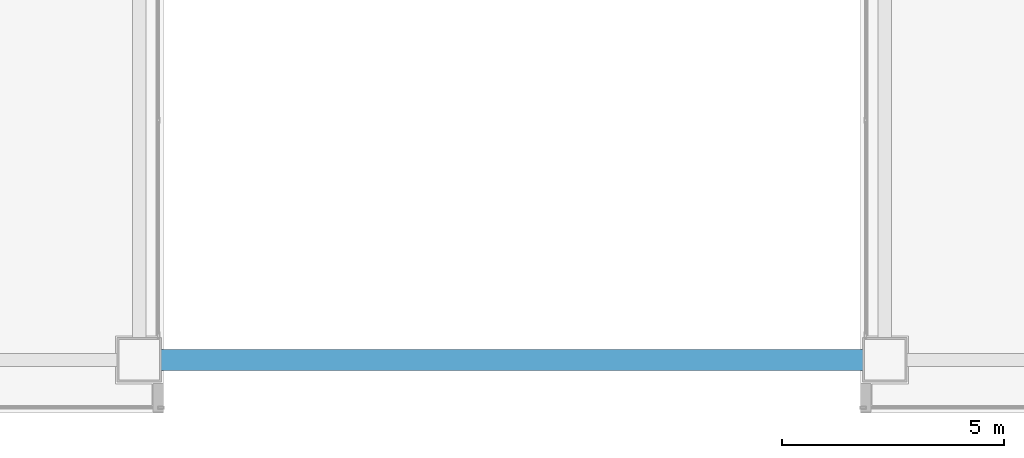
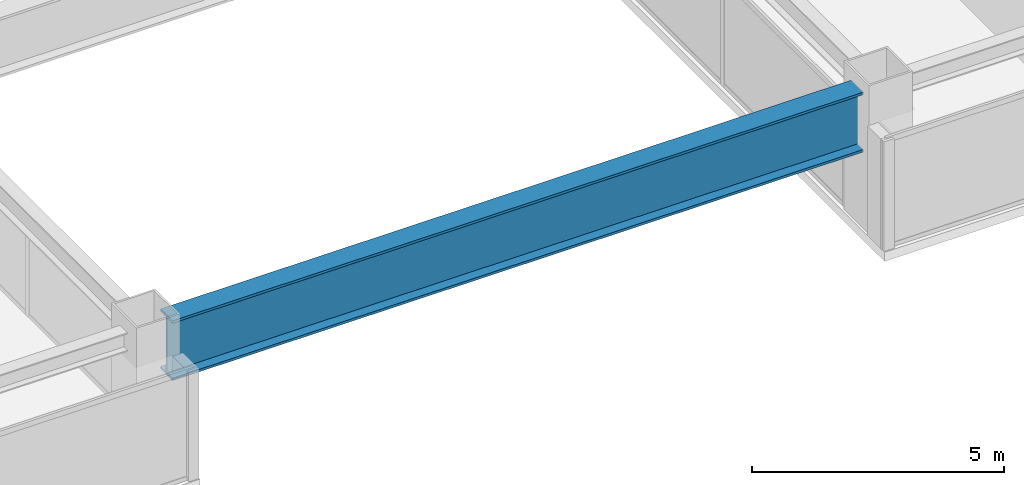
# One storey, part 6 of 32: 1 beam.
"""IFC4 building model written with IfcOpenShell, lengths in metres."""

from ifc_helpers import new_model, si_unit, direction, frame, origin, origin_2d, place, context, subcontext, project, spatial, i_section, extrude, source, transform, mapped, material, material_profile, profile_set, type_object, element, save


model = new_model("IFC4")

# Units and contexts
model_context = context("Model", 3, precision=1e-05, world=origin(), true_north=direction((0.0, 1.0)))
body_context = subcontext(model_context, "Body", "Model", "MODEL_VIEW")
ifc_project = project(units=[si_unit("LENGTHUNIT", "METRE"), si_unit("AREAUNIT", "SQUARE_METRE"), si_unit("VOLUMEUNIT", "CUBIC_METRE"), si_unit("PLANEANGLEUNIT", "RADIAN"), si_unit("MASSUNIT", "GRAM", prefix="KILO")], contexts=[model_context])

# Site, building, storey
site_placement = place(None, origin())
site = spatial("IfcSite", under=ifc_project, at=site_placement, CompositionType="ELEMENT")
building_placement = place(site_placement, origin())
building = spatial("IfcBuilding", under=site, at=building_placement, Name="Sumidabori Civic Tower", CompositionType="ELEMENT")
storey_placement = place(building_placement, frame((0.0, 0.0, 225.199951171875)))
storey = spatial("IfcBuildingStorey", under=building, at=storey_placement, Name="L58", CompositionType="ELEMENT", Elevation=225.199951171875)

# Beam
ifc_material = material(Name="Steel SM570", Category="steel")
ifc_material_profile = material_profile(ifc_material, i_section(OverallWidth=0.47998046875, OverallDepth=1.449951171875, WebThickness=0.033935546875, FlangeThickness=0.06005859375, at=origin_2d()), Name="WTG 1450x480")
ifc_profile_set = profile_set([ifc_material_profile], Name="Steel SM570")
beam_type = type_object("IfcBeamType", Name="BM-PT-CHORD", PredefinedType="BEAM", material=ifc_profile_set)
shared_shape = source(origin(), body_context, "Body", "SweptSolid", [
    extrude(i_section(OverallWidth=0.47998046875, OverallDepth=1.449951171875, WebThickness=0.033935546875, FlangeThickness=0.06005859375, at=origin_2d()), origin(), (0.0, 0.0, 1.0), 15.83984375),
])
beam_placement = place(storey_placement, frame((-7.919921875, -10.800048828125, 2.554931640625), z_axis=(1.0, 0.0, 0.0), x_axis=(0.0, 1.0, 0.0)))
element("IfcBeam", 1, at=beam_placement, inside=storey, type_object=beam_type, Name="Portal Bridge Transfer Girder Bottom Chord PT1-B1", PredefinedType="BEAM", context=body_context, shape_type="MappedRepresentation", body=[
    mapped(shared_shape, transform((0.0, 0.0, 0.0), x_axis=(1.0, 0.0, 0.0), y_axis=(0.0, 1.0, 0.0), z_axis=(0.0, 0.0, 1.0), scale=1.0)),
])

save(model, "model.ifc")
